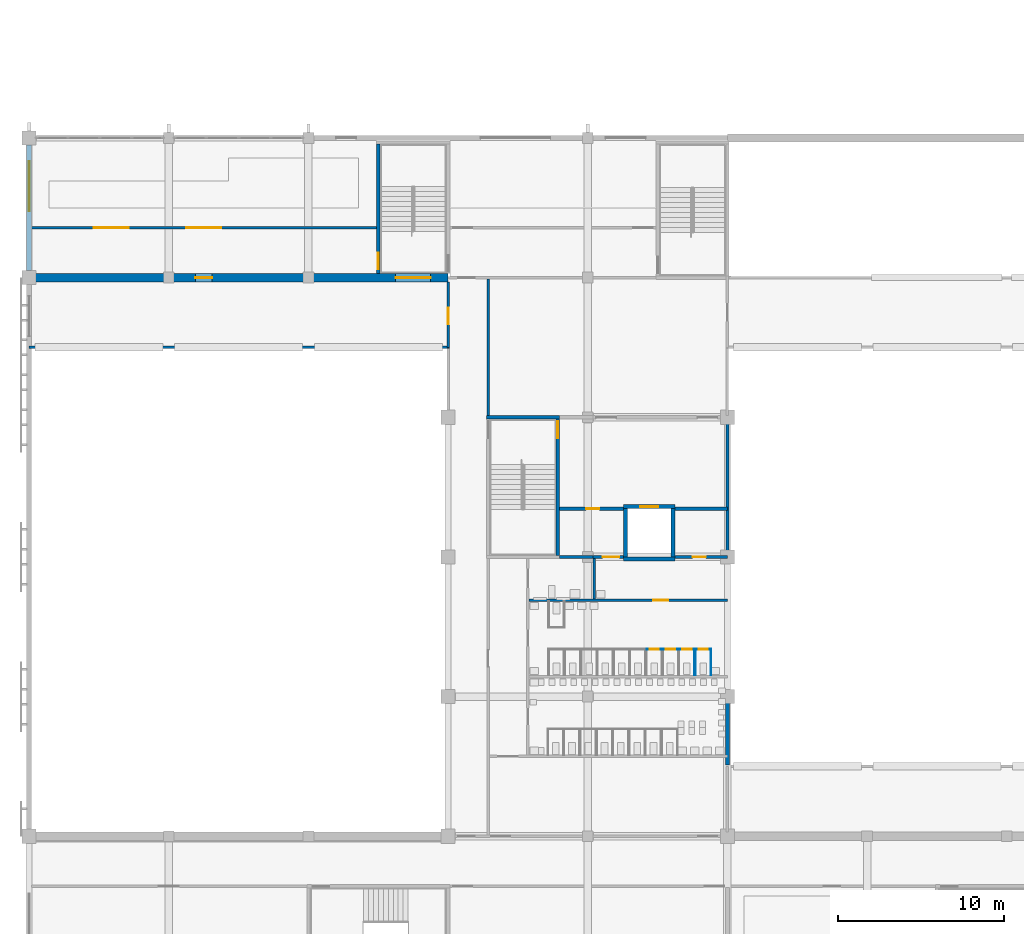
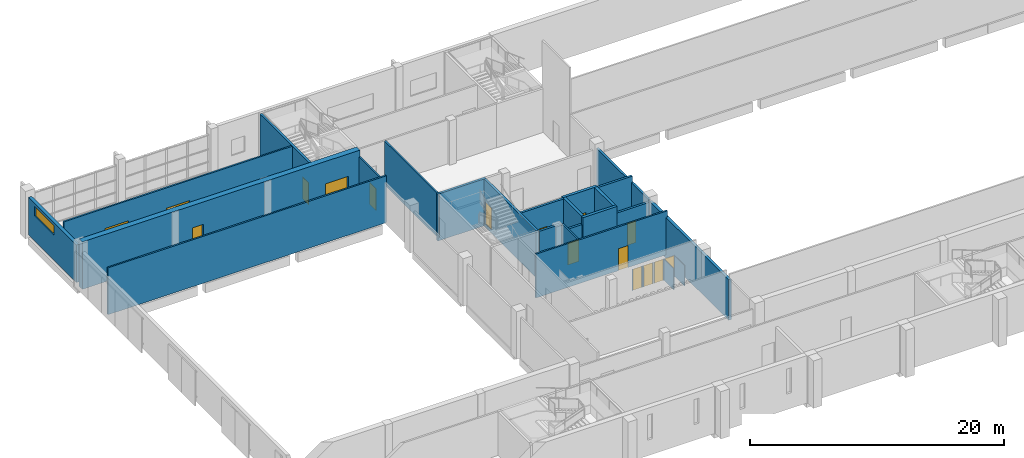
# One storey, part 24 of 64: 29 walls, 16 doors, 1 window, 17 openings.
"""IFC4 building model written with IfcOpenShell, lengths in metres."""

import ifcopenshell
import ifcopenshell.guid

model = None  # the IFC model being written
_history = None  # IfcOwnerHistory: only IFC2X3 demands one
_inside = {}  # id of a spatial element -> (the spatial element, [elements in it])
_under = {}  # id of a project, library or spatial element -> (it, [spatial elements below it])
_declared = {}  # id of a project -> (the project, [libraries it declares])
_typed = {}  # id of a type object -> (the type object, [elements of that type])
_made_of = {}  # id of a material, layer set ... -> (it, [elements and type objects made of it])


def new_model(schema):
    """Start an empty IFC model of exactly this schema.

    Asked for "IFC4X3", IfcOpenShell would pick the latest addendum, in which some entities
    have other attributes; the version numbers below select the first issue.
    IFC2X3 requires an IfcOwnerHistory on every rooted entity: one is made here for all.
    """
    global model, _history
    if schema == "IFC4X3":
        model = ifcopenshell.file(schema_version=(4, 3, 0, 0))
    else:
        model = ifcopenshell.file(schema=schema)
    _inside.clear()
    _under.clear()
    _declared.clear()
    _typed.clear()
    _made_of.clear()
    _history = None
    if model.schema == "IFC2X3":
        org = make("IfcOrganization", Name="unknown")
        user = make(
            "IfcPersonAndOrganization",
            ThePerson=make("IfcPerson", FamilyName="unknown"),
            TheOrganization=org,
        )
        app = make(
            "IfcApplication",
            ApplicationDeveloper=org,
            Version="unknown",
            ApplicationFullName="unknown",
            ApplicationIdentifier="unknown",
        )
        _history = make(
            "IfcOwnerHistory",
            OwningUser=user,
            OwningApplication=app,
            ChangeAction="ADDED",
            CreationDate=0,
        )
    return model


def make(cls, **values):
    """One entity of the class cls with the attributes given. An attribute that is None is left unset."""
    return model.create_entity(
        cls, **{name: value for name, value in values.items() if value is not None}
    )


def rooted(cls, **values):
    """An entity with a GlobalId (a new one), such as an element, a storey or a relation."""
    return make(cls, GlobalId=ifcopenshell.guid.new(), OwnerHistory=_history, **values)


def si_unit(unit_type, name, prefix=None):
    """IfcSIUnit, for example si_unit("LENGTHUNIT", "METRE", prefix="MILLI")."""
    return make("IfcSIUnit", UnitType=unit_type, Prefix=prefix, Name=name)


def assignment(units):
    """IfcUnitAssignment: the units of a project."""
    return None if units is None else make("IfcUnitAssignment", Units=units)


def point(xyz):
    """IfcCartesianPoint."""
    return None if xyz is None else make("IfcCartesianPoint", Coordinates=xyz)


def direction(xyz):
    """IfcDirection."""
    return None if xyz is None else make("IfcDirection", DirectionRatios=xyz)


def frame(location, z_axis=None, x_axis=None):
    """IfcAxis2Placement3D, a coordinate frame: its origin and axes. An axis left out is left unset."""
    return make(
        "IfcAxis2Placement3D",
        Location=point(location),
        Axis=direction(z_axis),
        RefDirection=direction(x_axis),
    )


def frame_2d(location, x_axis=None):
    """IfcAxis2Placement2D, a coordinate frame in the plane: its origin and x axis."""
    return make(
        "IfcAxis2Placement2D", Location=point(location), RefDirection=direction(x_axis)
    )


def origin():
    """The frame at (0, 0, 0) with its axes left unset."""
    return frame((0.0, 0.0, 0.0))


def place(relative_to, where):
    """IfcLocalPlacement: puts the frame where relative to a parent placement (None: the world)."""
    return make(
        "IfcLocalPlacement", PlacementRelTo=relative_to, RelativePlacement=where
    )


def context(
    kind, dimensions, precision=None, world=None, true_north=None, identifier=None
):
    """IfcGeometricRepresentationContext, for example the 3D "Model" context."""
    return make(
        "IfcGeometricRepresentationContext",
        ContextIdentifier=identifier,
        ContextType=kind,
        CoordinateSpaceDimension=dimensions,
        Precision=precision,
        WorldCoordinateSystem=world,
        TrueNorth=true_north,
    )


def subcontext(parent, identifier, kind, view, scale=None):
    """IfcGeometricRepresentationSubContext, for example "Body" below "Model"."""
    return make(
        "IfcGeometricRepresentationSubContext",
        ContextIdentifier=identifier,
        ContextType=kind,
        ParentContext=parent,
        TargetScale=scale,
        TargetView=view,
    )


def project(units=None, contexts=None):
    """IfcProject with its units and contexts."""
    return rooted(
        "IfcProject",
        Name="project",
        RepresentationContexts=contexts,
        UnitsInContext=assignment(units),
    )


def spatial(cls, under=None, at=None, **own):
    """A site, building, storey or space (cls), placed at a placement, below another one or the project."""
    s = rooted(cls, ObjectPlacement=at, **own)
    if under is not None:
        _under.setdefault(under.id(), (under, []))[1].append(s)
    return s


def profile(cls, at=None, kind="AREA", **sizes):
    """A parametric profile (cls). Its sizes go by their IFC names, for example OverallWidth=200.0."""
    return make(cls, ProfileType=kind, Position=at, **sizes)


def rectangle(**sizes):
    """IfcRectangleProfileDef."""
    return profile("IfcRectangleProfileDef", **sizes)


def extrude(swept, where, along, depth):
    """IfcExtrudedAreaSolid: the profile swept, set in the frame where, extruded along a direction by depth."""
    return make(
        "IfcExtrudedAreaSolid",
        SweptArea=swept,
        Position=where,
        ExtrudedDirection=direction(along),
        Depth=depth,
    )


def shape(context_of_items, identifier, shape_type, items):
    """IfcShapeRepresentation: the items that make up one representation, for example the "Body"."""
    return make(
        "IfcShapeRepresentation",
        ContextOfItems=context_of_items,
        RepresentationIdentifier=identifier,
        RepresentationType=shape_type,
        Items=items,
    )


def material(Name=None, Category=None):
    """IfcMaterial."""
    return make("IfcMaterial", Name=Name, Category=Category)


def layer(
    of_material, thickness, ventilated=None, Name=None, Category=None, Priority=None
):
    """IfcMaterialLayer: one layer of a wall or slab, of a material (None: an air gap)."""
    return make(
        "IfcMaterialLayer",
        Material=of_material,
        LayerThickness=thickness,
        IsVentilated=ventilated,
        Name=Name,
        Category=Category,
        Priority=Priority,
    )


def layer_set(layers, Name=None):
    """IfcMaterialLayerSet."""
    return make("IfcMaterialLayerSet", MaterialLayers=layers, LayerSetName=Name)


def made_of(thing, what):
    """Note that an element or type object is made of a material, layer set ...; save() writes the relation."""
    if what is not None:
        _made_of.setdefault(what.id(), (what, []))[1].append(thing)
    return thing


def type_object(cls, material=None, **own):
    """A type object (cls), such as IfcWallType, which elements share."""
    return made_of(rooted(cls, **own), material)


def element(
    cls,
    number,
    at=None,
    inside=None,
    cuts=None,
    type_object=None,
    material=None,
    context=None,
    identifier="Body",
    shape_type=None,
    held_by="IfcProductDefinitionShape",
    body=None,
    shapes=None,
    **own,
):
    """One element of the class cls, such as IfcWall. Its Tag is "e" and its number.

    at: its placement. inside: the storey or other place that contains it. cuts: it is an
    opening in that element (IfcRelVoidsElement). A single representation is given by context,
    identifier, shape_type and body (its items); several are given by shapes. held_by: the class
    of the entity that holds the representations. save() writes the other relations.
    """
    e = rooted(cls, Tag="e%d" % number, ObjectPlacement=at, **own)
    if body is not None:
        shapes = [shape(context, identifier, shape_type, body)]
    if shapes is not None:
        e.Representation = make(held_by, Representations=shapes)
    if inside is not None:
        _inside.setdefault(inside.id(), (inside, []))[1].append(e)
    if cuts is not None:
        rooted(
            "IfcRelVoidsElement", RelatingBuildingElement=cuts, RelatedOpeningElement=e
        )
    if type_object is not None:
        _typed.setdefault(type_object.id(), (type_object, []))[1].append(e)
    return made_of(e, material)


def fill(opening, filler):
    """IfcRelFillsElement: the door or window that sits in an opening."""
    return rooted(
        "IfcRelFillsElement",
        RelatingOpeningElement=opening,
        RelatedBuildingElement=filler,
    )


def aggregate(whole, parts):
    """IfcRelAggregates: a whole, such as a stair, and the parts it consists of."""
    return rooted("IfcRelAggregates", RelatingObject=whole, RelatedObjects=parts)


def save(model, path):
    """Write the relations noted so far, then the file.

    IfcRelAggregates (storeys below a building ...), IfcRelContainedInSpatialStructure (elements
    in a storey), IfcRelDefinesByType, IfcRelAssociatesMaterial and IfcRelDeclares: one each for
    every whole, place, type object, material and project.
    """
    for whole, parts in _under.values():
        aggregate(whole, parts)
    for where, things in _inside.values():
        rooted(
            "IfcRelContainedInSpatialStructure",
            RelatedElements=things,
            RelatingStructure=where,
        )
    for kind, things in _typed.values():
        rooted("IfcRelDefinesByType", RelatedObjects=things, RelatingType=kind)
    for what, things in _made_of.values():
        rooted("IfcRelAssociatesMaterial", RelatedObjects=things, RelatingMaterial=what)
    for by, libraries in _declared.values():
        rooted("IfcRelDeclares", RelatingContext=by, RelatedDefinitions=libraries)
    model.write(path)


model = new_model("IFC4")

# Units and contexts
model_context = context("Model", 3, precision=1e-05, world=origin(), true_north=direction((0.0, 1.0)))
body_context = subcontext(model_context, "Body", "Model", "MODEL_VIEW")
ifc_project = project(units=[si_unit("LENGTHUNIT", "METRE"), si_unit("AREAUNIT", "SQUARE_METRE"), si_unit("VOLUMEUNIT", "CUBIC_METRE"), si_unit("PLANEANGLEUNIT", "RADIAN"), si_unit("MASSUNIT", "GRAM", prefix="KILO")], contexts=[model_context])

# Site, building, storey
site_placement = place(None, origin())
site = spatial("IfcSite", under=ifc_project, at=site_placement, CompositionType="ELEMENT")
building_placement = place(site_placement, origin())
building = spatial("IfcBuilding", under=site, at=building_placement, Name="Rulbaag Community and Learning Centre", CompositionType="ELEMENT")
storey_placement = place(building_placement, frame((0.0, 0.0, 5.39990234375)))
storey = spatial("IfcBuildingStorey", under=building, at=storey_placement, Name="L01", CompositionType="ELEMENT", Elevation=5.39990234375)

# Wall, opening, door
ifc_material_1 = material(Name="High pressure laminate", Category="wood")
ifc_layer_1 = layer(ifc_material_1, 0.0400390625)
ifc_layer_set_1 = layer_set([ifc_layer_1], Name="CP-40")
wall_type_1 = type_object("IfcWallType", Name="CP-40", PredefinedType="PARTITIONING", material=ifc_layer_set_1)
wall_1_placement = place(storey_placement, frame((37.14990234375, 19.64990234375, 0.0), z_axis=(0.0, 0.0, 1.0), x_axis=(1.0, 0.0, 0.0)))
wall_1 = element("IfcWall", 1, at=wall_1_placement, inside=storey, type_object=wall_type_1, Name="Cubicle partition", PredefinedType="PARTITIONING", context=body_context, shape_type="SweptSolid", body=[
    extrude(rectangle(XDim=0.900146484375, YDim=0.0400390625, at=frame_2d((0.4501953125, 0.0))), origin(), (0.0, 0.0, 1.0), 2.0),
])
opening_1_placement = place(wall_1_placement, frame((0.050048828125, 0.0, 0.0)))
opening_1 = element("IfcOpeningElement", 2, at=opening_1_placement, cuts=wall_1, Name="Opening L01-D041", PredefinedType="OPENING", context=body_context, shape_type="SweptSolid", body=[
    extrude(rectangle(XDim=0.800048828125, YDim=2.0, at=frame_2d((0.39990234375, 1.0))), frame((0.0, 0.030029296875, 0.0), z_axis=(0.0, -1.0, 0.0), x_axis=(1.0, 0.0, 0.0)), (0.0, 0.0, 1.0), 0.06005859375),
])
door_type_1 = type_object("IfcDoorType", Name="DC-80", OperationType="SINGLE_SWING_LEFT", PredefinedType="DOOR", material=ifc_material_1)
door_1_placement = place(opening_1_placement, origin())
door_1 = element("IfcDoor", 3, at=door_1_placement, inside=storey, type_object=door_type_1, Name="Cubicle door", OperationType="SINGLE_SWING_LEFT", OverallHeight=2.0, OverallWidth=0.800048828125, PredefinedType="DOOR", context=body_context, shape_type="SweptSolid", body=[
    extrude(rectangle(XDim=0.800048828125, YDim=2.0, at=frame_2d((0.39990234375, 1.0))), frame((0.0, 0.019775390625, 0.0), z_axis=(0.0, -1.0, 0.0), x_axis=(1.0, 0.0, 0.0)), (0.0, 0.0, 1.0), 0.03955078125),
])
fill(opening_1, door_1)

wall_2_placement = place(storey_placement, frame((38.1298828125, 19.64990234375, 0.0), z_axis=(0.0, 0.0, 1.0), x_axis=(1.0, 0.0, 0.0)))
wall_2 = element("IfcWall", 4, at=wall_2_placement, inside=storey, type_object=wall_type_1, Name="Cubicle partition", PredefinedType="PARTITIONING", context=body_context, shape_type="SweptSolid", body=[
    extrude(rectangle(XDim=0.900146484375, YDim=0.0400390625, at=frame_2d((0.4501953125, 0.0))), origin(), (0.0, 0.0, 1.0), 2.0),
])
opening_2_placement = place(wall_2_placement, frame((0.050048828125, 0.0, 0.0)))
opening_2 = element("IfcOpeningElement", 5, at=opening_2_placement, cuts=wall_2, Name="Opening L01-D045", PredefinedType="OPENING", context=body_context, shape_type="SweptSolid", body=[
    extrude(rectangle(XDim=0.800048828125, YDim=2.0, at=frame_2d((0.39990234375, 1.0))), frame((0.0, 0.030029296875, 0.0), z_axis=(0.0, -1.0, 0.0), x_axis=(1.0, 0.0, 0.0)), (0.0, 0.0, 1.0), 0.06005859375),
])
door_2_placement = place(opening_2_placement, origin())
door_2 = element("IfcDoor", 6, at=door_2_placement, inside=storey, type_object=door_type_1, Name="Cubicle door", OperationType="SINGLE_SWING_LEFT", OverallHeight=2.0, OverallWidth=0.800048828125, PredefinedType="DOOR", context=body_context, shape_type="SweptSolid", body=[
    extrude(rectangle(XDim=0.800048828125, YDim=2.0, at=frame_2d((0.39990234375, 1.0))), frame((0.0, 0.019775390625, 0.0), z_axis=(0.0, -1.0, 0.0), x_axis=(1.0, 0.0, 0.0)), (0.0, 0.0, 1.0), 0.03955078125),
])
fill(opening_2, door_2)

# Wall
wall_3_placement = place(storey_placement, frame((40.030029296875, 18.074951171875, 0.0), z_axis=(0.0, 0.0, 1.0), x_axis=(0.0, 1.0, 0.0)))
element("IfcWall", 7, at=wall_3_placement, inside=storey, type_object=wall_type_1, Name="Cubicle partition", PredefinedType="PARTITIONING", context=body_context, shape_type="SweptSolid", body=[
    extrude(rectangle(XDim=1.594970703125, YDim=0.0400390625, at=frame_2d((0.79736328125, 0.0))), origin(), (0.0, 0.0, 1.0), 2.0),
])

# Wall, opening, door
wall_4_placement = place(storey_placement, frame((39.110107421875, 19.64990234375, 0.0), z_axis=(0.0, 0.0, 1.0), x_axis=(1.0, 0.0, 0.0)))
wall_4 = element("IfcWall", 8, at=wall_4_placement, inside=storey, type_object=wall_type_1, Name="Cubicle partition", PredefinedType="PARTITIONING", context=body_context, shape_type="SweptSolid", body=[
    extrude(rectangle(XDim=0.89990234375, YDim=0.0400390625, at=frame_2d((0.449951171875, 0.0))), origin(), (0.0, 0.0, 1.0), 2.0),
])
opening_3_placement = place(wall_4_placement, frame((0.050048828125, 0.0, 0.0)))
opening_3 = element("IfcOpeningElement", 9, at=opening_3_placement, cuts=wall_4, Name="Opening L01-D046", PredefinedType="OPENING", context=body_context, shape_type="SweptSolid", body=[
    extrude(rectangle(XDim=0.800048828125, YDim=2.0, at=frame_2d((0.39990234375, 1.0))), frame((0.0, 0.030029296875, 0.0), z_axis=(0.0, -1.0, 0.0), x_axis=(1.0, 0.0, 0.0)), (0.0, 0.0, 1.0), 0.06005859375),
])
door_3_placement = place(opening_3_placement, origin())
door_3 = element("IfcDoor", 10, at=door_3_placement, inside=storey, type_object=door_type_1, Name="Cubicle door", OperationType="SINGLE_SWING_LEFT", OverallHeight=2.0, OverallWidth=0.800048828125, PredefinedType="DOOR", context=body_context, shape_type="SweptSolid", body=[
    extrude(rectangle(XDim=0.800048828125, YDim=2.0, at=frame_2d((0.39990234375, 1.0))), frame((0.0, 0.019775390625, 0.0), z_axis=(0.0, -1.0, 0.0), x_axis=(1.0, 0.0, 0.0)), (0.0, 0.0, 1.0), 0.03955078125),
])
fill(opening_3, door_3)

# Walls
for number, where, z_axis, x_axis, name in (
    (11, (40.070068359375, 18.074951171875, 0.0), (0.0, 0.0, 1.0), (0.0, 1.0, 0.0), "Cubicle partition"),
    (12, (41.010009765625, 18.074951171875, 0.0), (0.0, 0.0, 1.0), (0.0, 1.0, 0.0), "Cubicle partition"),
):
    element("IfcWall", number, at=place(storey_placement, frame(where, z_axis=z_axis, x_axis=x_axis)), inside=storey, type_object=wall_type_1, Name=name, PredefinedType="PARTITIONING", context=body_context, shape_type="SweptSolid", body=[
        extrude(rectangle(XDim=1.594970703125, YDim=0.0400390625, at=frame_2d((0.79736328125, 0.0))), origin(), (0.0, 0.0, 1.0), 2.0),
    ])

# Wall, opening, door
wall_5_placement = place(storey_placement, frame((40.090087890625, 19.64990234375, 0.0), z_axis=(0.0, 0.0, 1.0), x_axis=(1.0, 0.0, 0.0)))
wall_5 = element("IfcWall", 13, at=wall_5_placement, inside=storey, type_object=wall_type_1, Name="Cubicle partition", PredefinedType="PARTITIONING", context=body_context, shape_type="SweptSolid", body=[
    extrude(rectangle(XDim=0.89990234375, YDim=0.0400390625, at=frame_2d((0.449951171875, 0.0))), origin(), (0.0, 0.0, 1.0), 2.0),
])
opening_4_placement = place(wall_5_placement, frame((0.050048828125, 0.0, 0.0)))
opening_4 = element("IfcOpeningElement", 14, at=opening_4_placement, cuts=wall_5, Name="Opening L01-D048", PredefinedType="OPENING", context=body_context, shape_type="SweptSolid", body=[
    extrude(rectangle(XDim=0.800048828125, YDim=2.0, at=frame_2d((0.39990234375, 1.0))), frame((0.0, 0.030029296875, 0.0), z_axis=(0.0, -1.0, 0.0), x_axis=(1.0, 0.0, 0.0)), (0.0, 0.0, 1.0), 0.06005859375),
])
door_4_placement = place(opening_4_placement, origin())
door_4 = element("IfcDoor", 15, at=door_4_placement, inside=storey, type_object=door_type_1, Name="Cubicle door", OperationType="SINGLE_SWING_LEFT", OverallHeight=2.0, OverallWidth=0.800048828125, PredefinedType="DOOR", context=body_context, shape_type="SweptSolid", body=[
    extrude(rectangle(XDim=0.800048828125, YDim=2.0, at=frame_2d((0.39990234375, 1.0))), frame((0.0, 0.019775390625, 0.0), z_axis=(0.0, -1.0, 0.0), x_axis=(1.0, 0.0, 0.0)), (0.0, 0.0, 1.0), 0.03955078125),
])
fill(opening_4, door_4)

# Wall
ifc_material_2 = material(Name="Concrete M30", Category="concrete")
ifc_layer_2 = layer(ifc_material_2, 0.25)
ifc_layer_set_2 = layer_set([ifc_layer_2], Name="CW-250 COMPARTMENT WALL 250")
wall_type_2 = type_object("IfcWallType", Name="CW-250 COMPARTMENT WALL 250", PredefinedType="SOLIDWALL", material=ifc_layer_set_2)
wall_6_placement = place(storey_placement, frame((42.0, 12.675048828125, -0.2998046875), z_axis=(0.0, 0.0, 1.0), x_axis=(0.0, 1.0, 0.0)))
element("IfcWall", 16, at=wall_6_placement, inside=storey, type_object=wall_type_2, Name="Fire wall L01 67", PredefinedType="SOLIDWALL", context=body_context, shape_type="SweptSolid", body=[
    extrude(rectangle(XDim=12.425048828125, YDim=0.25, at=frame_2d((6.21240234375, 0.0))), origin(), (0.0, 0.0, 1.0), 3.89990234375),
])

# Wall, opening, window
ifc_material_3 = material(Name="Concrete M40", Category="concrete")
ifc_layer_3 = layer(ifc_material_3, 0.300048828125)
ifc_layer_set_3 = layer_set([ifc_layer_3], Name="EW-CONC300")
wall_type_3 = type_object("IfcWallType", Name="EW-CONC300", PredefinedType="STANDARD", material=ifc_layer_set_3)
wall_7_placement = place(storey_placement, frame((0.0, 42.425048828125, 0.0), z_axis=(0.0, 0.0, 1.0), x_axis=(0.0, 1.0, 0.0)))
wall_7 = element("IfcWall", 17, at=wall_7_placement, inside=storey, type_object=wall_type_3, Name="Board-marked concrete cladding wall AW", PredefinedType="STANDARD", context=body_context, shape_type="SweptSolid", body=[
    extrude(rectangle(XDim=7.550048828125, YDim=0.300048828125, at=frame_2d((3.77490234375, 0.0))), origin(), (0.0, 0.0, 1.0), 3.60009765625),
])
opening_5_placement = place(wall_7_placement, frame((3.5625, 0.0, 2.39990234375)))
opening_5 = element("IfcOpeningElement", 18, at=opening_5_placement, cuts=wall_7, Name="Opening WN12", PredefinedType="OPENING", context=body_context, shape_type="SweptSolid", body=[
    extrude(rectangle(XDim=3.0, YDim=0.89990234375, at=frame_2d((1.5, 0.449951171875))), frame((0.0, 0.159912109375, 0.0), z_axis=(0.0, -1.0, 0.0), x_axis=(1.0, 0.0, 0.0)), (0.0, 0.0, 1.0), 0.320068359375),
])
ifc_material_4 = material(Name="Aluminium", Category="aluminium")
window_type = type_object("IfcWindowType", Name="WL-30", PartitioningType="TRIPLE_PANEL_VERTICAL", PredefinedType="WINDOW", material=ifc_material_4)
window_placement = place(opening_5_placement, origin())
window = element("IfcWindow", 19, at=window_placement, inside=storey, type_object=window_type, Name="Window WN12", OverallHeight=0.89990234375, OverallWidth=3.0, PartitioningType="SINGLE_PANEL", PredefinedType="WINDOW", context=body_context, shape_type="SweptSolid", body=[
    extrude(rectangle(XDim=3.0, YDim=0.89990234375, at=frame_2d((1.5, 0.449951171875))), frame((0.0, 0.030029296875, 0.0), z_axis=(0.0, -1.0, 0.0), x_axis=(1.0, 0.0, 0.0)), (0.0, 0.0, 1.0), 0.06005859375),
])
fill(opening_5, window)

# Walls
ifc_material_5 = material(Name="Concrete blockwork", Category="masonry")
ifc_layer_4 = layer(ifc_material_5, 0.199951171875)
ifc_layer_set_4 = layer_set([ifc_layer_4], Name="FW-200 FIRE WALL 200")
wall_type_4 = type_object("IfcWallType", Name="FW-200 FIRE WALL 200", PredefinedType="SOLIDWALL", material=ifc_layer_set_4)
wall_8_placement = place(storey_placement, frame((42.0, 25.300048828125, -0.2998046875), z_axis=(0.0, 0.0, 1.0), x_axis=(0.0, 1.0, 0.0)))
element("IfcWall", 20, at=wall_8_placement, inside=storey, type_object=wall_type_4, Name="Fire wall L01 68", PredefinedType="SOLIDWALL", context=body_context, shape_type="SweptSolid", body=[
    extrude(rectangle(XDim=8.199951171875, YDim=0.199951171875, at=frame_2d((4.10009765625, 0.0))), origin(), (0.0, 0.0, 1.0), 3.89990234375),
])
wall_9_placement = place(storey_placement, frame((31.89990234375, 25.199951171875, 0.0), z_axis=(0.0, 0.0, 1.0), x_axis=(1.0, 0.0, 0.0)))
element("IfcWall", 21, at=wall_9_placement, inside=storey, type_object=wall_type_4, Name="Fire wall L01 15", PredefinedType="SOLIDWALL", context=body_context, shape_type="SweptSolid", body=[
    extrude(rectangle(XDim=2.005126953125, YDim=0.199951171875, at=frame_2d((1.00244140625, 0.0))), origin(), (0.0, 0.0, 1.0), 4.2001953125),
])

# Wall, opening, door
wall_10_placement = place(storey_placement, frame((33.905029296875, 25.199951171875, 0.0), z_axis=(0.0, 0.0, 1.0), x_axis=(1.0, 0.0, 0.0)))
wall_10 = element("IfcWall", 22, at=wall_10_placement, inside=storey, type_object=wall_type_4, Name="Fire wall L01 15.2", PredefinedType="SOLIDWALL", context=body_context, shape_type="SweptSolid", body=[
    extrude(rectangle(XDim=1.844970703125, YDim=0.199951171875, at=frame_2d((0.92236328125, 0.0))), origin(), (0.0, 0.0, 1.0), 3.5),
])
opening_6_placement = place(wall_10_placement, frame((0.594970703125, 0.0, 0.0)))
opening_6 = element("IfcOpeningElement", 23, at=opening_6_placement, cuts=wall_10, Name="Opening L01-D033", PredefinedType="OPENING", context=body_context, shape_type="SweptSolid", body=[
    extrude(rectangle(XDim=1.0, YDim=2.10009765625, at=frame_2d((0.5, 1.050048828125))), frame((0.0, 0.10986328125, 0.0), z_axis=(0.0, -1.0, 0.0), x_axis=(1.0, 0.0, 0.0)), (0.0, 0.0, 1.0), 0.219970703125),
])
ifc_material_6 = material(Name="Galvanised steel", Category="steel")
door_type_2 = type_object("IfcDoorType", Name="FD-1000 FIRE DOOR 1000 x 2100", OperationType="SINGLE_SWING_LEFT", PredefinedType="DOOR", material=ifc_material_6)
door_5_placement = place(opening_6_placement, origin())
door_5 = element("IfcDoor", 24, at=door_5_placement, inside=storey, type_object=door_type_2, Name="Door L01-D033", OperationType="SINGLE_SWING_LEFT", OverallHeight=2.10009765625, OverallWidth=1.0, PredefinedType="DOOR", context=body_context, shape_type="SweptSolid", body=[
    extrude(rectangle(XDim=1.0, YDim=2.10009765625, at=frame_2d((0.5, 1.050048828125))), frame((0.0, 0.02490234375, 0.0), z_axis=(0.0, -1.0, 0.0), x_axis=(1.0, 0.0, 0.0)), (0.0, 0.0, 1.0), 0.050048828125),
])
fill(opening_6, door_5)

wall_11_placement = place(storey_placement, frame((38.85009765625, 25.199951171875, 0.0), z_axis=(0.0, 0.0, 1.0), x_axis=(1.0, 0.0, 0.0)))
wall_11 = element("IfcWall", 25, at=wall_11_placement, inside=storey, type_object=wall_type_4, Name="Fire wall L01 16", PredefinedType="SOLIDWALL", context=body_context, shape_type="SweptSolid", body=[
    extrude(rectangle(XDim=3.14990234375, YDim=0.199951171875, at=frame_2d((1.574951171875, 0.0))), origin(), (0.0, 0.0, 1.0), 3.5),
])
opening_7_placement = place(wall_11_placement, frame((1.050048828125, 0.0, 0.0)))
opening_7 = element("IfcOpeningElement", 26, at=opening_7_placement, cuts=wall_11, Name="Opening L01-D047", PredefinedType="OPENING", context=body_context, shape_type="SweptSolid", body=[
    extrude(rectangle(XDim=0.800048828125, YDim=2.10009765625, at=frame_2d((0.39990234375, 1.050048828125))), frame((0.0, 0.10986328125, 0.0), z_axis=(0.0, -1.0, 0.0), x_axis=(1.0, 0.0, 0.0)), (0.0, 0.0, 1.0), 0.219970703125),
])
door_type_3 = type_object("IfcDoorType", Name="FDR-800 RISER FIRE DOOR 800 x 2100", OperationType="SINGLE_SWING_LEFT", PredefinedType="DOOR", material=ifc_material_6)
door_6_placement = place(opening_7_placement, origin())
door_6 = element("IfcDoor", 27, at=door_6_placement, inside=storey, type_object=door_type_3, Name="Riser door L01-D048", OperationType="SINGLE_SWING_LEFT", OverallHeight=2.10009765625, OverallWidth=0.800048828125, PredefinedType="DOOR", context=body_context, shape_type="SweptSolid", body=[
    extrude(rectangle(XDim=0.800048828125, YDim=2.10009765625, at=frame_2d((0.39990234375, 1.050048828125))), frame((0.0, 0.02490234375, 0.0), z_axis=(0.0, -1.0, 0.0), x_axis=(1.0, 0.0, 0.0)), (0.0, 0.0, 1.0), 0.050048828125),
])
fill(opening_7, door_6)

wall_12_placement = place(storey_placement, frame((31.89990234375, 28.10009765625, 0.0), z_axis=(0.0, 0.0, 1.0), x_axis=(1.0, 0.0, 0.0)))
wall_12 = element("IfcWall", 28, at=wall_12_placement, inside=storey, type_object=wall_type_4, Name="Fire wall L01 19", PredefinedType="SOLIDWALL", context=body_context, shape_type="SweptSolid", body=[
    extrude(rectangle(XDim=3.85009765625, YDim=0.199951171875, at=frame_2d((1.925048828125, 0.0))), origin(), (0.0, 0.0, 1.0), 4.2001953125),
])
opening_8_placement = place(wall_12_placement, frame((1.60009765625, 0.0, 0.0)))
opening_8 = element("IfcOpeningElement", 29, at=opening_8_placement, cuts=wall_12, Name="Opening L01-D029", PredefinedType="OPENING", context=body_context, shape_type="SweptSolid", body=[
    extrude(rectangle(XDim=0.800048828125, YDim=2.10009765625, at=frame_2d((0.39990234375, 1.050048828125))), frame((0.0, 0.10986328125, 0.0), z_axis=(0.0, -1.0, 0.0), x_axis=(1.0, 0.0, 0.0)), (0.0, 0.0, 1.0), 0.219970703125),
])
door_7_placement = place(opening_8_placement, origin())
door_7 = element("IfcDoor", 30, at=door_7_placement, inside=storey, type_object=door_type_3, Name="Riser door L01-D047", OperationType="SINGLE_SWING_RIGHT", OverallHeight=2.10009765625, OverallWidth=0.800048828125, PredefinedType="DOOR", context=body_context, shape_type="SweptSolid", body=[
    extrude(rectangle(XDim=0.800048828125, YDim=2.10009765625, at=frame_2d((0.39990234375, 1.050048828125))), frame((0.0, 0.02490234375, 0.0), z_axis=(0.0, -1.0, 0.0), x_axis=(1.0, 0.0, 0.0)), (0.0, 0.0, 1.0), 0.050048828125),
])
fill(opening_8, door_7)

# Walls
wall_13_placement = place(storey_placement, frame((38.85009765625, 28.10009765625, 0.0), z_axis=(0.0, 0.0, 1.0), x_axis=(1.0, 0.0, 0.0)))
element("IfcWall", 31, at=wall_13_placement, inside=storey, type_object=wall_type_4, Name="Fire wall L01 20", PredefinedType="SOLIDWALL", context=body_context, shape_type="SweptSolid", body=[
    extrude(rectangle(XDim=3.14990234375, YDim=0.199951171875, at=frame_2d((1.574951171875, 0.0))), origin(), (0.0, 0.0, 1.0), 4.2001953125),
])
ifc_layer_5 = layer(ifc_material_5, 0.14990234375)
ifc_layer_set_5 = layer_set([ifc_layer_5], Name="IP-150 PARTITION 150")
wall_type_5 = type_object("IfcWallType", Name="IP-150 PARTITION 150", PredefinedType="PARTITIONING", material=ifc_layer_set_5)
wall_14_placement = place(storey_placement, frame((0.0, 37.800048828125, -0.2998046875), z_axis=(0.0, 0.0, 1.0), x_axis=(1.0, 0.0, 0.0)))
element("IfcWall", 32, at=wall_14_placement, inside=storey, type_object=wall_type_5, Name="Partition L01 26", PredefinedType="PARTITIONING", context=body_context, shape_type="SweptSolid", body=[
    extrude(rectangle(XDim=25.27490234375, YDim=0.14990234375, at=frame_2d((12.637451171875, 0.0))), origin(), (0.0, 0.0, 1.0), 4.5),
])

# Wall, opening, door
wall_15_placement = place(storey_placement, frame((30.074951171875, 22.60009765625, 0.0), z_axis=(0.0, 0.0, 1.0), x_axis=(1.0, 0.0, 0.0)))
wall_15 = element("IfcWall", 33, at=wall_15_placement, inside=storey, type_object=wall_type_5, Name="Partition L01 13", PredefinedType="PARTITIONING", context=body_context, shape_type="SweptSolid", body=[
    extrude(rectangle(XDim=11.925048828125, YDim=0.14990234375, at=frame_2d((5.96240234375, 0.0))), origin(), (0.0, 0.0, 1.0), 4.2001953125),
])
opening_9_placement = place(wall_15_placement, frame((7.47509765625, 0.0, 0.0)))
opening_9 = element("IfcOpeningElement", 34, at=opening_9_placement, cuts=wall_15, Name="Opening L01-D043", PredefinedType="OPENING", context=body_context, shape_type="SweptSolid", body=[
    extrude(rectangle(XDim=0.89990234375, YDim=2.10009765625, at=frame_2d((0.449951171875, 1.050048828125))), frame((0.0, 0.0849609375, 0.0), z_axis=(0.0, -1.0, 0.0), x_axis=(1.0, 0.0, 0.0)), (0.0, 0.0, 1.0), 0.169921875),
])
ifc_material_7 = material(Name="Timber", Category="wood")
door_type_4 = type_object("IfcDoorType", Name="DW-900 TOILET DOOR 900 x 2100", OperationType="SINGLE_SWING_LEFT", PredefinedType="DOOR", material=ifc_material_7)
door_8_placement = place(opening_9_placement, origin())
door_8 = element("IfcDoor", 35, at=door_8_placement, inside=storey, type_object=door_type_4, Name="Door L01-D043", OperationType="SINGLE_SWING_RIGHT", OverallHeight=2.10009765625, OverallWidth=0.89990234375, PredefinedType="DOOR", context=body_context, shape_type="SweptSolid", body=[
    extrude(rectangle(XDim=0.89990234375, YDim=2.10009765625, at=frame_2d((0.449951171875, 1.050048828125))), frame((0.0, 0.02490234375, 0.0), z_axis=(0.0, -1.0, 0.0), x_axis=(1.0, 0.0, 0.0)), (0.0, 0.0, 1.0), 0.050048828125),
])
fill(opening_9, door_8)

# Wall, openings, doors
wall_16_placement = place(storey_placement, frame((0.14990234375, 45.0, 0.0), z_axis=(0.0, 0.0, 1.0), x_axis=(1.0, 0.0, 0.0)))
wall_16 = element("IfcWall", 36, at=wall_16_placement, inside=storey, type_object=wall_type_5, Name="Partition L01 29", PredefinedType="PARTITIONING", context=body_context, shape_type="SweptSolid", body=[
    extrude(rectangle(XDim=20.75, YDim=0.14990234375, at=frame_2d((10.375, 0.0))), origin(), (0.0, 0.0, 1.0), 4.2001953125),
])
opening_10_placement = place(wall_16_placement, frame((9.300048828125, 0.0, 0.0)))
opening_10 = element("IfcOpeningElement", 37, at=opening_10_placement, cuts=wall_16, Name="Opening L01-D004", PredefinedType="OPENING", context=body_context, shape_type="SweptSolid", body=[
    extrude(rectangle(XDim=2.10009765625, YDim=2.25, at=frame_2d((1.050048828125, 1.125))), frame((0.0, 0.0849609375, 0.0), z_axis=(0.0, -1.0, 0.0), x_axis=(1.0, 0.0, 0.0)), (0.0, 0.0, 1.0), 0.169921875),
])
opening_11_placement = place(wall_16_placement, frame((3.75, 0.0, 0.0)))
opening_11 = element("IfcOpeningElement", 38, at=opening_11_placement, cuts=wall_16, Name="Opening L01-D001", PredefinedType="OPENING", context=body_context, shape_type="SweptSolid", body=[
    extrude(rectangle(XDim=2.10009765625, YDim=2.25, at=frame_2d((1.050048828125, 1.125))), frame((0.0, 0.0849609375, 0.0), z_axis=(0.0, -1.0, 0.0), x_axis=(1.0, 0.0, 0.0)), (0.0, 0.0, 1.0), 0.169921875),
])
door_type_5 = type_object("IfcDoorType", Name="D-2100 LIBRARY ENTRANCE DOOR PAIR 2100 x 2250", OperationType="DOUBLE_DOOR_SINGLE_SWING", PredefinedType="DOOR", material=ifc_material_7)
door_9_placement = place(opening_10_placement, origin())
door_9 = element("IfcDoor", 39, at=door_9_placement, inside=storey, type_object=door_type_5, Name="Door L01-D004", OperationType="DOUBLE_DOOR_SINGLE_SWING", OverallHeight=2.25, OverallWidth=2.10009765625, PredefinedType="DOOR", context=body_context, shape_type="SweptSolid", body=[
    extrude(rectangle(XDim=2.10009765625, YDim=2.25, at=frame_2d((1.050048828125, 1.125))), frame((0.0, 0.02490234375, 0.0), z_axis=(0.0, -1.0, 0.0), x_axis=(1.0, 0.0, 0.0)), (0.0, 0.0, 1.0), 0.050048828125),
])
fill(opening_10, door_9)
door_10_placement = place(opening_11_placement, origin())
door_10 = element("IfcDoor", 40, at=door_10_placement, inside=storey, type_object=door_type_5, Name="Door L01-D001", OperationType="DOUBLE_DOOR_SINGLE_SWING", OverallHeight=2.25, OverallWidth=2.10009765625, PredefinedType="DOOR", context=body_context, shape_type="SweptSolid", body=[
    extrude(rectangle(XDim=2.10009765625, YDim=2.25, at=frame_2d((1.050048828125, 1.125))), frame((0.0, 0.02490234375, 0.0), z_axis=(0.0, -1.0, 0.0), x_axis=(1.0, 0.0, 0.0)), (0.0, 0.0, 1.0), 0.050048828125),
])
fill(opening_11, door_10)

# Wall, opening, door
wall_17_placement = place(storey_placement, frame((25.199951171875, 37.800048828125, 0.0), z_axis=(0.0, 0.0, 1.0), x_axis=(0.0, 1.0, 0.0)))
wall_17 = element("IfcWall", 41, at=wall_17_placement, inside=storey, type_object=wall_type_5, Name="Partition L01 48", PredefinedType="PARTITIONING", context=body_context, shape_type="SweptSolid", body=[
    extrude(rectangle(XDim=3.949951171875, YDim=0.14990234375, at=frame_2d((1.97509765625, 0.0))), origin(), (0.0, 0.0, 1.0), 3.60009765625),
])
opening_12_placement = place(wall_17_placement, frame((1.39990234375, 0.0, 0.0)))
opening_12 = element("IfcOpeningElement", 42, at=opening_12_placement, cuts=wall_17, Name="Opening L01-D008", PredefinedType="OPENING", context=body_context, shape_type="SweptSolid", body=[
    extrude(rectangle(XDim=1.0, YDim=2.10009765625, at=frame_2d((0.5, 1.050048828125))), frame((0.0, 0.0849609375, 0.0), z_axis=(0.0, -1.0, 0.0), x_axis=(1.0, 0.0, 0.0)), (0.0, 0.0, 1.0), 0.169921875),
])
door_type_6 = type_object("IfcDoorType", Name="D-1000 DOOR 1000 x 2100", OperationType="SINGLE_SWING_LEFT", PredefinedType="DOOR", material=ifc_material_7)
door_11_placement = place(opening_12_placement, origin())
door_11 = element("IfcDoor", 43, at=door_11_placement, inside=storey, type_object=door_type_6, Name="Door L01-D008", OperationType="SINGLE_SWING_LEFT", OverallHeight=2.10009765625, OverallWidth=1.0, PredefinedType="DOOR", context=body_context, shape_type="SweptSolid", body=[
    extrude(rectangle(XDim=1.0, YDim=2.10009765625, at=frame_2d((0.5, 1.050048828125))), frame((0.0, 0.02490234375, 0.0), z_axis=(0.0, -1.0, 0.0), x_axis=(1.0, 0.0, 0.0)), (0.0, 0.0, 1.0), 0.050048828125),
])
fill(opening_12, door_11)

# Walls
wall_18_placement = place(storey_placement, frame((27.60009765625, 33.5, 0.0), z_axis=(0.0, 0.0, 1.0), x_axis=(0.0, 1.0, 0.0)))
element("IfcWall", 44, at=wall_18_placement, inside=storey, type_object=wall_type_5, Name="Partition L01 51", PredefinedType="PARTITIONING", context=body_context, shape_type="SweptSolid", body=[
    extrude(rectangle(XDim=8.425048828125, YDim=0.14990234375, at=frame_2d((4.21240234375, 0.0))), origin(), (0.0, 0.0, 1.0), 4.2001953125),
])
wall_19_placement = place(storey_placement, frame((34.0, 22.675048828125, 0.0), z_axis=(0.0, 0.0, 1.0), x_axis=(0.0, 1.0, 0.0)))
element("IfcWall", 45, at=wall_19_placement, inside=storey, type_object=wall_type_5, Name="Partition L01 53", PredefinedType="PARTITIONING", context=body_context, shape_type="SweptSolid", body=[
    extrude(rectangle(XDim=2.425048828125, YDim=0.14990234375, at=frame_2d((1.21240234375, 0.0))), origin(), (0.0, 0.0, 1.0), 4.2001953125),
])

# Wall, openings, doors
ifc_layer_6 = layer(ifc_material_3, 0.5)
ifc_layer_set_6 = layer_set([ifc_layer_6], Name="W13 Shear wall 500 Concrete M40")
wall_type_6 = type_object("IfcWallType", Name="W13 Shear wall 500 Concrete M40", PredefinedType="SHEAR", material=ifc_layer_set_6)
wall_20_placement = place(storey_placement, frame((0.0, 42.0, -0.2998046875), z_axis=(0.0, 0.0, 1.0), x_axis=(1.0, 0.0, 0.0)))
wall_20 = element("IfcWall", 46, at=wall_20_placement, inside=storey, type_object=wall_type_6, Name="WL-XPN-L01", PredefinedType="SHEAR", context=body_context, shape_type="SweptSolid", body=[
    extrude(rectangle(XDim=25.199951171875, YDim=0.5, at=frame_2d((12.60009765625, 0.0))), origin(), (0.0, 0.0, 1.0), 4.5498046875),
])
opening_13_placement = place(wall_20_placement, frame((22.050048828125, 0.0, 0.300048828125)))
opening_13 = element("IfcOpeningElement", 47, at=opening_13_placement, cuts=wall_20, Name="Opening L01-D007", PredefinedType="OPENING", context=body_context, shape_type="SweptSolid", body=[
    extrude(rectangle(XDim=2.10009765625, YDim=2.10009765625, at=frame_2d((1.050048828125, 1.050048828125))), frame((0.0, 0.260009765625, 0.0), z_axis=(0.0, -1.0, 0.0), x_axis=(1.0, 0.0, 0.0)), (0.0, 0.0, 1.0), 0.52001953125),
])
opening_14_placement = place(wall_20_placement, frame((10.0, 0.0, 0.300048828125)))
opening_14 = element("IfcOpeningElement", 48, at=opening_14_placement, cuts=wall_20, Name="Opening L01-D003", PredefinedType="OPENING", context=body_context, shape_type="SweptSolid", body=[
    extrude(rectangle(XDim=1.0, YDim=2.10009765625, at=frame_2d((0.5, 1.050048828125))), frame((0.0, 0.260009765625, 0.0), z_axis=(0.0, -1.0, 0.0), x_axis=(1.0, 0.0, 0.0)), (0.0, 0.0, 1.0), 0.52001953125),
])
door_12_placement = place(opening_14_placement, origin())
door_12 = element("IfcDoor", 49, at=door_12_placement, inside=storey, type_object=door_type_6, Name="Door L01-D003", OperationType="SINGLE_SWING_LEFT", OverallHeight=2.10009765625, OverallWidth=1.0, PredefinedType="DOOR", context=body_context, shape_type="SweptSolid", body=[
    extrude(rectangle(XDim=1.0, YDim=2.10009765625, at=frame_2d((0.5, 1.050048828125))), frame((0.0, 0.02490234375, 0.0), z_axis=(0.0, -1.0, 0.0), x_axis=(1.0, 0.0, 0.0)), (0.0, 0.0, 1.0), 0.050048828125),
])
fill(opening_14, door_12)
door_type_7 = type_object("IfcDoorType", Name="FD-2100 FIRE DOOR 2100 x 2100", OperationType="DOUBLE_DOOR_SINGLE_SWING", PredefinedType="DOOR", material=ifc_material_6)
door_13_placement = place(opening_13_placement, origin())
door_13 = element("IfcDoor", 50, at=door_13_placement, inside=storey, type_object=door_type_7, Name="Door L01-D007", OperationType="DOUBLE_DOOR_SINGLE_SWING", OverallHeight=2.10009765625, OverallWidth=2.10009765625, PredefinedType="DOOR", context=body_context, shape_type="SweptSolid", body=[
    extrude(rectangle(XDim=2.10009765625, YDim=2.10009765625, at=frame_2d((1.050048828125, 1.050048828125))), frame((0.0, 0.02490234375, 0.0), z_axis=(0.0, -1.0, 0.0), x_axis=(1.0, 0.0, 0.0)), (0.0, 0.0, 1.0), 0.050048828125),
])
fill(opening_13, door_13)

# Wall
ifc_layer_7 = layer(ifc_material_3, 0.25)
ifc_layer_set_7 = layer_set([ifc_layer_7], Name="W8 Lift shaft wall 250 Concrete M40")
wall_type_7 = type_object("IfcWallType", Name="W8 Lift shaft wall 250 Concrete M40", PredefinedType="SHEAR", material=ifc_layer_set_7)
wall_21_placement = place(storey_placement, frame((35.75, 25.074951171875, -0.2998046875), z_axis=(0.0, 0.0, 1.0), x_axis=(1.0, 0.0, 0.0)))
element("IfcWall", 51, at=wall_21_placement, inside=storey, type_object=wall_type_7, Name="WL-LH1-S-L01", PredefinedType="SHEAR", context=body_context, shape_type="SweptSolid", body=[
    extrude(rectangle(XDim=3.10009765625, YDim=0.25, at=frame_2d((1.550048828125, 0.0))), origin(), (0.0, 0.0, 1.0), 4.5498046875),
])

# Wall, opening, door
wall_22_placement = place(storey_placement, frame((35.75, 28.22509765625, -0.2998046875), z_axis=(0.0, 0.0, 1.0), x_axis=(1.0, 0.0, 0.0)))
wall_22 = element("IfcWall", 52, at=wall_22_placement, inside=storey, type_object=wall_type_7, Name="WL-LH1-N-L01", PredefinedType="SHEAR", context=body_context, shape_type="SweptSolid", body=[
    extrude(rectangle(XDim=3.10009765625, YDim=0.25, at=frame_2d((1.550048828125, 0.0))), origin(), (0.0, 0.0, 1.0), 4.5498046875),
])
opening_15_placement = place(wall_22_placement, frame((1.0, 0.0, 0.300048828125)))
opening_15 = element("IfcOpeningElement", 53, at=opening_15_placement, cuts=wall_22, Name="Opening L01-D039", PredefinedType="OPENING", context=body_context, shape_type="SweptSolid", body=[
    extrude(rectangle(XDim=1.10009765625, YDim=2.10009765625, at=frame_2d((0.550048828125, 1.050048828125))), frame((0.0, 0.135009765625, 0.0), z_axis=(0.0, -1.0, 0.0), x_axis=(1.0, 0.0, 0.0)), (0.0, 0.0, 1.0), 0.27001953125),
])
ifc_material_8 = material(Name="Stainless steel grade 304", Category="steel")
door_type_8 = type_object("IfcDoorType", Name="LD-1100 LIFT LANDING DOOR 1100 x 2100", OperationType="SLIDING_TO_LEFT", PredefinedType="DOOR", material=ifc_material_8)
door_14_placement = place(opening_15_placement, origin())
door_14 = element("IfcDoor", 54, at=door_14_placement, inside=storey, type_object=door_type_8, Name="Lift landing door LH1 L01", OperationType="SLIDING_TO_LEFT", OverallHeight=2.10009765625, OverallWidth=1.10009765625, PredefinedType="DOOR", context=body_context, shape_type="SweptSolid", body=[
    extrude(rectangle(XDim=1.10009765625, YDim=2.10009765625, at=frame_2d((0.550048828125, 1.050048828125))), frame((0.0, 0.02490234375, 0.0), z_axis=(0.0, -1.0, 0.0), x_axis=(1.0, 0.0, 0.0)), (0.0, 0.0, 1.0), 0.050048828125),
])
fill(opening_15, door_14)

# Walls
for number, where, z_axis, x_axis, name in (
    (55, (35.875, 25.199951171875, -0.2998046875), (0.0, 0.0, 1.0), (0.0, 1.0, 0.0), "WL-LH1-W-L01"),
    (56, (38.72509765625, 25.199951171875, -0.2998046875), (0.0, 0.0, 1.0), (0.0, 1.0, 0.0), "WL-LH1-E-L01"),
):
    element("IfcWall", number, at=place(storey_placement, frame(where, z_axis=z_axis, x_axis=x_axis)), inside=storey, type_object=wall_type_7, Name=name, PredefinedType="SHEAR", context=body_context, shape_type="SweptSolid", body=[
        extrude(rectangle(XDim=2.900146484375, YDim=0.25, at=frame_2d((1.4501953125, 0.0))), origin(), (0.0, 0.0, 1.0), 4.5498046875),
    ])

# Wall, opening, door
ifc_layer_8 = layer(ifc_material_3, 0.199951171875)
ifc_layer_set_8 = layer_set([ifc_layer_8], Name="WSE Stair enclosure wall 200 Concrete M40")
wall_type_8 = type_object("IfcWallType", Name="WSE Stair enclosure wall 200 Concrete M40", PredefinedType="SHEAR", material=ifc_layer_set_8)
wall_23_placement = place(storey_placement, frame((21.0, 42.25, -0.2998046875), z_axis=(0.0, 0.0, 1.0), x_axis=(0.0, 1.0, 0.0)))
wall_23 = element("IfcWall", 57, at=wall_23_placement, inside=storey, type_object=wall_type_8, Name="Stair enclosure wall SH0 W L01", PredefinedType="SHEAR", context=body_context, shape_type="SweptSolid", body=[
    extrude(rectangle(XDim=7.77490234375, YDim=0.199951171875, at=frame_2d((3.887451171875, 0.0))), origin(), (0.0, 0.0, 1.0), 4.5),
])
opening_16_placement = place(wall_23_placement, frame((0.25, 0.0, 0.300048828125)))
opening_16 = element("IfcOpeningElement", 58, at=opening_16_placement, cuts=wall_23, Name="Opening L01-D006", PredefinedType="OPENING", context=body_context, shape_type="SweptSolid", body=[
    extrude(rectangle(XDim=1.0, YDim=2.10009765625, at=frame_2d((0.5, 1.050048828125))), frame((0.0, 0.10986328125, 0.0), z_axis=(0.0, -1.0, 0.0), x_axis=(1.0, 0.0, 0.0)), (0.0, 0.0, 1.0), 0.219970703125),
])
door_15_placement = place(opening_16_placement, origin())
door_15 = element("IfcDoor", 59, at=door_15_placement, inside=storey, type_object=door_type_2, Name="Door L01-D006", OperationType="SINGLE_SWING_LEFT", OverallHeight=2.10009765625, OverallWidth=1.0, PredefinedType="DOOR", context=body_context, shape_type="SweptSolid", body=[
    extrude(rectangle(XDim=1.0, YDim=2.10009765625, at=frame_2d((0.5, 1.050048828125))), frame((0.0, 0.02490234375, 0.0), z_axis=(0.0, -1.0, 0.0), x_axis=(1.0, 0.0, 0.0)), (0.0, 0.0, 1.0), 0.050048828125),
])
fill(opening_16, door_15)

# Wall
wall_24_placement = place(storey_placement, frame((27.5, 33.60009765625, -0.2998046875), z_axis=(0.0, 0.0, 1.0), x_axis=(1.0, 0.0, 0.0)))
element("IfcWall", 60, at=wall_24_placement, inside=storey, type_object=wall_type_8, Name="Stair enclosure wall SH1 N L01", PredefinedType="SHEAR", context=body_context, shape_type="SweptSolid", body=[
    extrude(rectangle(XDim=4.39990234375, YDim=0.199951171875, at=frame_2d((2.199951171875, 0.0))), origin(), (0.0, 0.0, 1.0), 4.5),
])

# Wall, opening, door
wall_25_placement = place(storey_placement, frame((31.800048828125, 25.300048828125, -0.2998046875), z_axis=(0.0, 0.0, 1.0), x_axis=(0.0, 1.0, 0.0)))
wall_25 = element("IfcWall", 61, at=wall_25_placement, inside=storey, type_object=wall_type_8, Name="Stair enclosure wall SH1 E L01", PredefinedType="SHEAR", context=body_context, shape_type="SweptSolid", body=[
    extrude(rectangle(XDim=8.199951171875, YDim=0.199951171875, at=frame_2d((4.10009765625, 0.0))), origin(), (0.0, 0.0, 1.0), 4.5),
])
opening_17_placement = place(wall_25_placement, frame((7.050048828125, 0.0, 0.300048828125)))
opening_17 = element("IfcOpeningElement", 62, at=opening_17_placement, cuts=wall_25, Name="Opening L01-D024", PredefinedType="OPENING", context=body_context, shape_type="SweptSolid", body=[
    extrude(rectangle(XDim=1.0, YDim=2.10009765625, at=frame_2d((0.5, 1.050048828125))), frame((0.0, 0.10986328125, 0.0), z_axis=(0.0, -1.0, 0.0), x_axis=(1.0, 0.0, 0.0)), (0.0, 0.0, 1.0), 0.219970703125),
])
door_16_placement = place(opening_17_placement, origin())
door_16 = element("IfcDoor", 63, at=door_16_placement, inside=storey, type_object=door_type_2, Name="Door L01-D024", OperationType="SINGLE_SWING_RIGHT", OverallHeight=2.10009765625, OverallWidth=1.0, PredefinedType="DOOR", context=body_context, shape_type="SweptSolid", body=[
    extrude(rectangle(XDim=1.0, YDim=2.10009765625, at=frame_2d((0.5, 1.050048828125))), frame((0.0, 0.02490234375, 0.0), z_axis=(0.0, -1.0, 0.0), x_axis=(1.0, 0.0, 0.0)), (0.0, 0.0, 1.0), 0.050048828125),
])
fill(opening_17, door_16)

save(model, "model.ifc")
